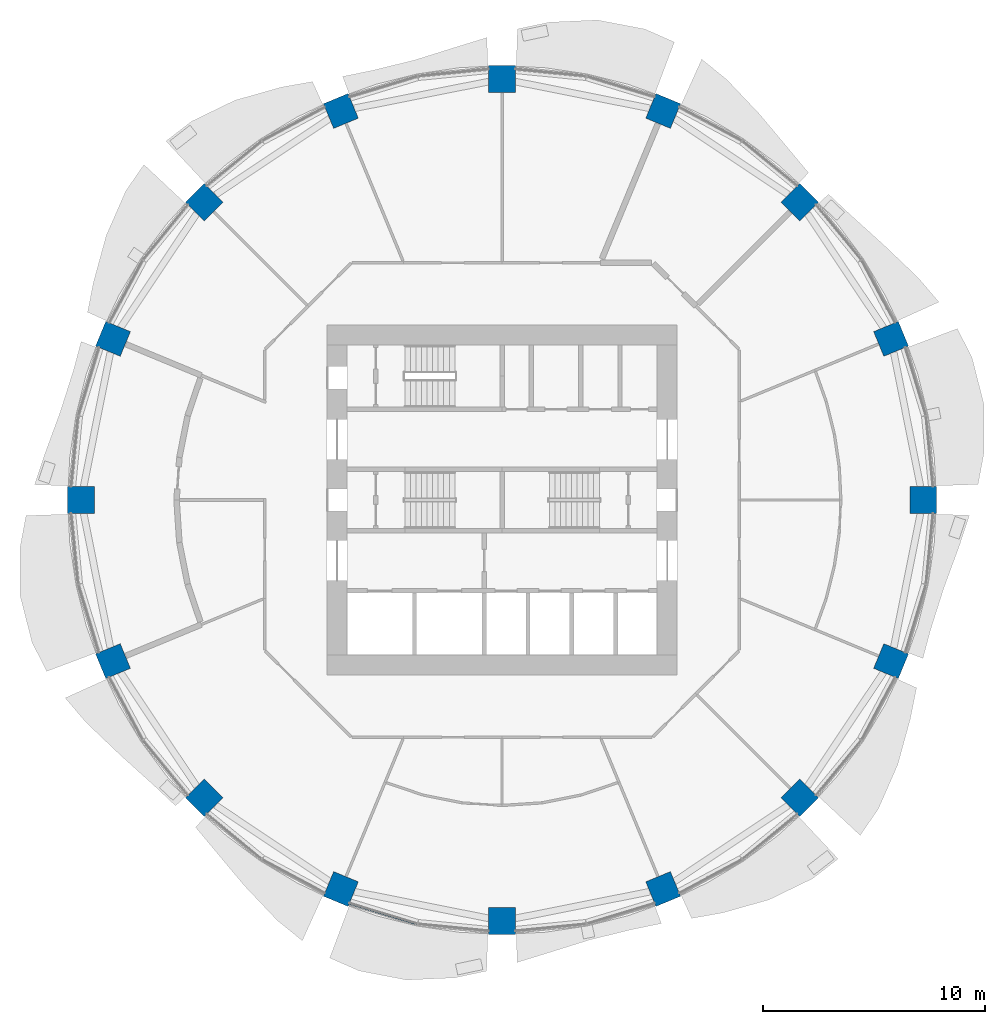
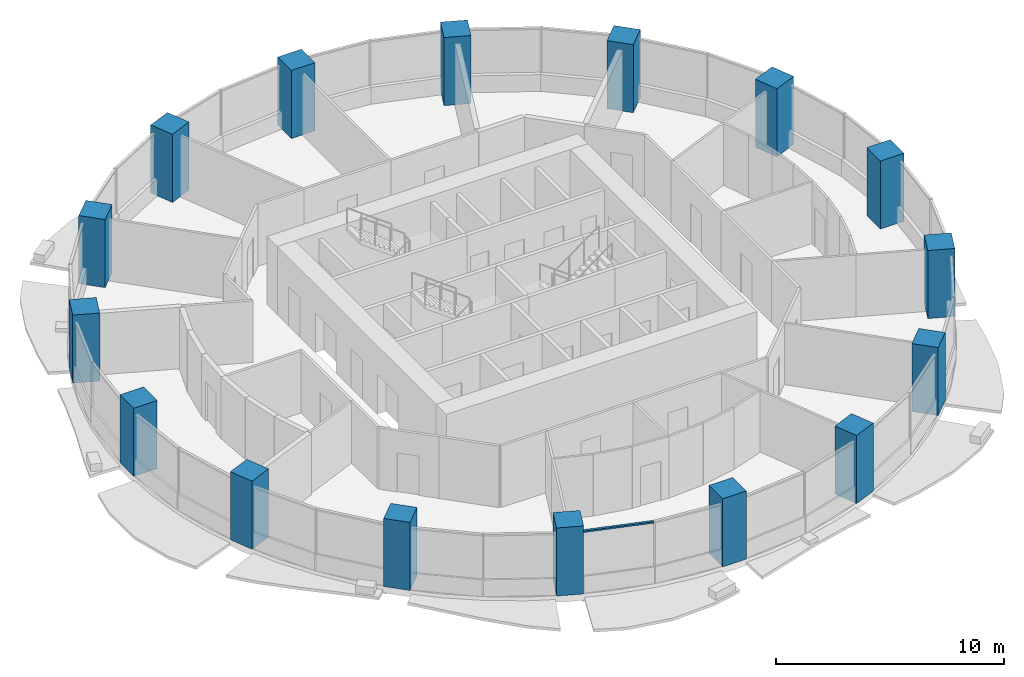
# One storey, part 1 of 15: 16 columns, 1 member, 1 element without a shape of its own.
"""IFC4 building model written with IfcOpenShell, lengths in metres."""

from ifc_helpers import new_model, si_unit, direction, frame, origin, origin_2d, place, context, subcontext, project, spatial, rectangle, extrude, material, material_profile, profile_set, type_object, element, aggregate, save


model = new_model("IFC4")

# Units and contexts
model_context = context("Model", 3, precision=1e-05, world=origin(), true_north=direction((0.0, 1.0)))
body_context = subcontext(model_context, "Body", "Model", "MODEL_VIEW")
ifc_project = project(units=[si_unit("LENGTHUNIT", "METRE"), si_unit("AREAUNIT", "SQUARE_METRE"), si_unit("VOLUMEUNIT", "CUBIC_METRE"), si_unit("PLANEANGLEUNIT", "RADIAN"), si_unit("MASSUNIT", "GRAM", prefix="KILO")], contexts=[model_context])

# Site, building, storey
site_placement = place(None, origin())
site = spatial("IfcSite", under=ifc_project, at=site_placement, CompositionType="ELEMENT")
building_placement = place(site_placement, origin())
building = spatial("IfcBuilding", under=site, at=building_placement, Name="Polderwave Tower", CompositionType="ELEMENT")
storey_placement = place(building_placement, frame((0.0, 0.0, 62.699951171875)))
storey = spatial("IfcBuildingStorey", under=building, at=storey_placement, Name="L16", CompositionType="ELEMENT", Elevation=62.699951171875)

# Columns
ifc_material_1 = material(Name="Concrete C70/85", Category="concrete")
ifc_material_profile_1 = material_profile(ifc_material_1, rectangle(XDim=1.199951171875, YDim=1.199951171875, at=origin_2d()), Name="RC 1200x1200")
ifc_profile_set_1 = profile_set([ifc_material_profile_1], Name="Concrete C70/85")
column_type = type_object("IfcColumnType", Name="RC COLUMN 1200x1200 C70/85", PredefinedType="COLUMN", material=ifc_profile_set_1)
for number, where, z_axis, x_axis, name in (
    (1, (18.93994140625, 0.0, 0.0), (0.0, 0.0, 1.0), (1.0, 0.0, 0.0), "Ring column 01"),
    (2, (17.498291015625, 7.248046875, 0.0), (0.0, 0.0, 1.0), (0.923879532511, 0.382683432365, 0.0), "Ring column 02"),
    (3, (13.392578125, 13.392578125, 0.0), (0.0, 0.0, 1.0), (0.707106781187, 0.707106781187, 0.0), "Ring column 03"),
    (4, (7.248046875, 17.498291015625, 0.0), (0.0, 0.0, 1.0), (0.382683432365, 0.923879532511, 0.0), "Ring column 04"),
    (5, (0.0, 18.93994140625, 0.0), (0.0, 0.0, 1.0), (0.0, 1.0, 0.0), "Ring column 05"),
    (6, (-7.248046875, 17.498291015625, 0.0), (0.0, 0.0, 1.0), (-0.382683432365, 0.923879532511, 0.0), "Ring column 06"),
    (7, (-13.392578125, 13.392578125, 0.0), (0.0, 0.0, 1.0), (-0.707106781187, 0.707106781187, 0.0), "Ring column 07"),
    (8, (-17.498291015625, 7.248046875, 0.0), (0.0, 0.0, 1.0), (-0.923879532511, 0.382683432365, 0.0), "Ring column 08"),
    (9, (-18.93994140625, 0.0, 0.0), (0.0, 0.0, 1.0), (-1.0, 0.0, 0.0), "Ring column 09"),
    (10, (-17.498291015625, -7.248046875, 0.0), (0.0, 0.0, 1.0), (-0.923879532511, -0.382683432365, 0.0), "Ring column 10"),
    (11, (-13.392578125, -13.392578125, 0.0), (0.0, 0.0, 1.0), (-0.707106781187, -0.707106781187, 0.0), "Ring column 11"),
    (12, (-7.248046875, -17.498291015625, 0.0), (0.0, 0.0, 1.0), (-0.382683432365, -0.923879532511, 0.0), "Ring column 12"),
    (13, (0.0, -18.93994140625, 0.0), (0.0, 0.0, 1.0), (0.0, -1.0, 0.0), "Ring column 13"),
    (14, (7.248046875, -17.498291015625, 0.0), (0.0, 0.0, 1.0), (0.382683432365, -0.923879532511, 0.0), "Ring column 14"),
    (15, (13.392578125, -13.392578125, 0.0), (0.0, 0.0, 1.0), (0.707106781187, -0.707106781187, 0.0), "Ring column 15"),
    (16, (17.498291015625, -7.248046875, 0.0), (0.0, 0.0, 1.0), (0.923879532511, -0.382683432365, 0.0), "Ring column 16"),
):
    element("IfcColumn", number, at=place(storey_placement, frame(where, z_axis=z_axis, x_axis=x_axis)), inside=storey, type_object=column_type, Name=name, PredefinedType="COLUMN", context=body_context, shape_type="SweptSolid", body=[
        extrude(rectangle(XDim=1.199951171875, YDim=1.199951171875, at=origin_2d()), origin(), (0.0, 0.0, 1.0), 3.650146484375),
    ])

# Curtain wall, member
ifc_material_2 = material(Name="Aluminium 6063-T6 and glass", Category="aluminium")
curtain_wall_type = type_object("IfcCurtainWallType", Name="Growing floor ribbon glazing wall", PredefinedType="NOTDEFINED", material=ifc_material_2)
curtain_wall_placement = place(storey_placement, origin())
curtain_wall = element("IfcCurtainWall", 17, at=curtain_wall_placement, inside=storey, type_object=curtain_wall_type, Name="CW2 L16 11", PredefinedType="NOTDEFINED")
ifc_material_3 = material(Name="Aluminium 6063-T6", Category="aluminium")
ifc_material_profile_2 = material_profile(ifc_material_3, rectangle(XDim=0.1201171875, YDim=0.080078125, at=origin_2d()), Name="AL 80x120")
ifc_profile_set_2 = profile_set([ifc_material_profile_2], Name="Aluminium 6063-T6")
member_type = type_object("IfcMemberType", Name="Growing floor ribbon glazing transom 80x120", PredefinedType="USERDEFINED", material=ifc_profile_set_2)
member_placement = place(storey_placement, frame((-6.862060546875, -18.135009765625, 3.260009765625), z_axis=(0.956931289937, -0.290314495574, 0.0), x_axis=(0.290314495574, 0.956931289937, 0.0)))
member = element("IfcMember", 18, at=member_placement, type_object=member_type, Name="CW2 transom 1", ObjectType="TRANSOM", PredefinedType="USERDEFINED", context=body_context, shape_type="SweptSolid", body=[
    extrude(rectangle(XDim=0.1201171875, YDim=0.080078125, at=origin_2d()), origin(), (0.0, 0.0, 1.0), 3.177001953125),
])
aggregate(curtain_wall, [member])

save(model, "model.ifc")
